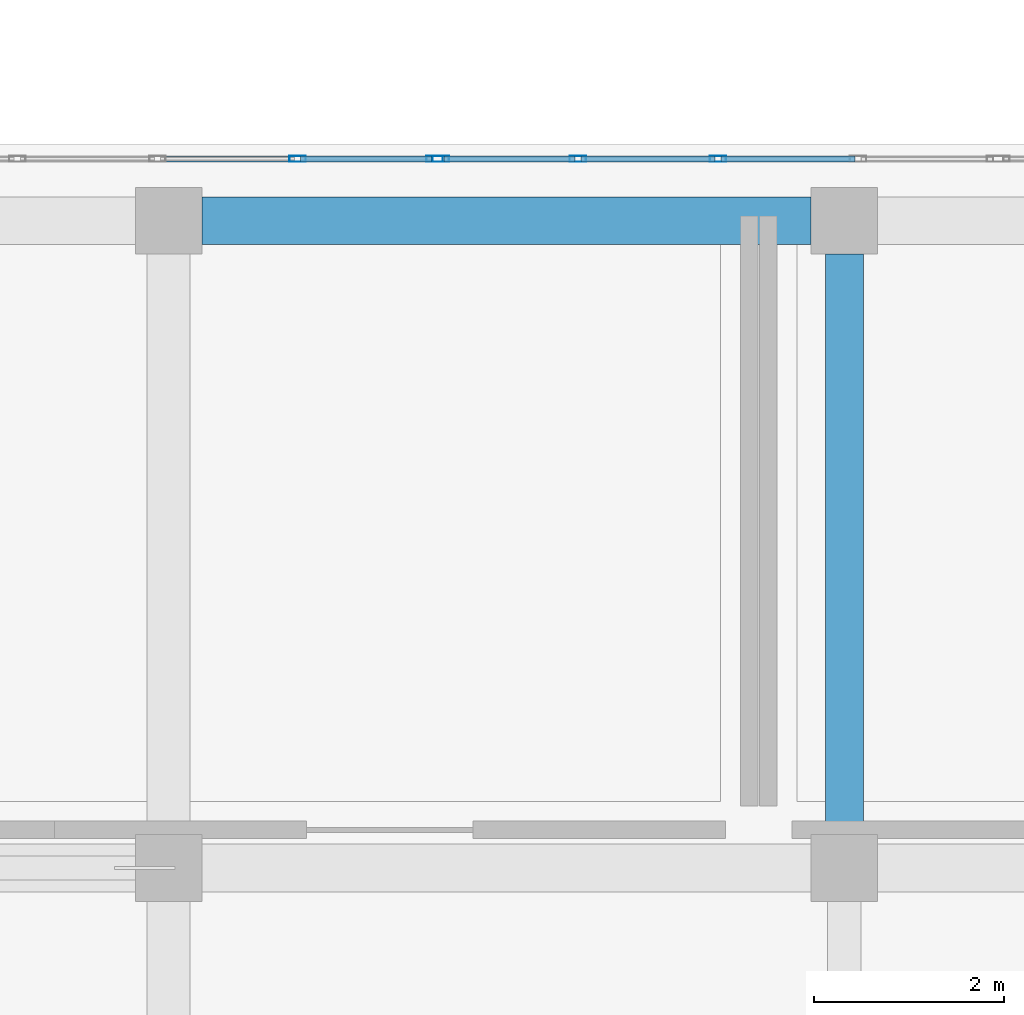
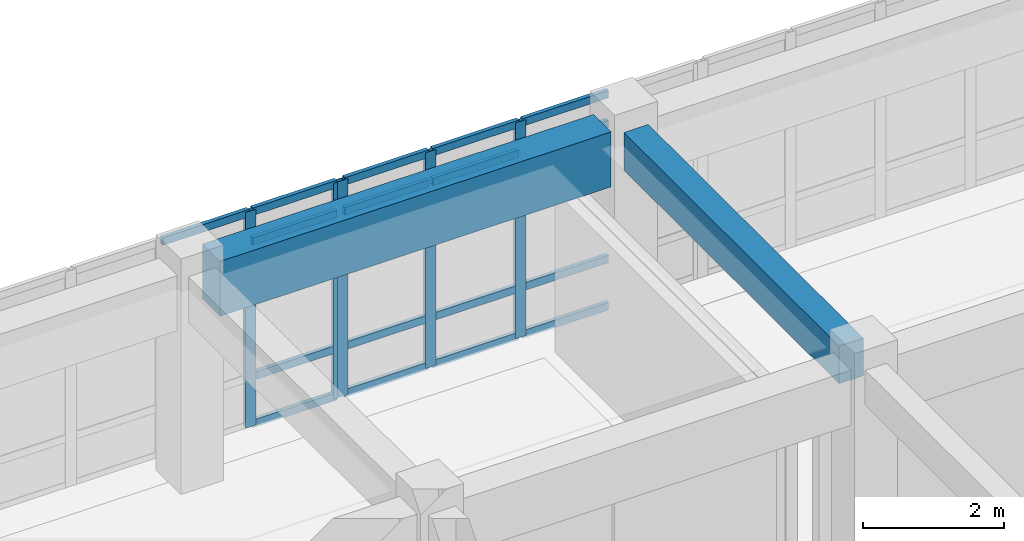
# One storey, part 22 of 146: 22 members, 2 beams, 2 elements without a shape of their own.
"""IFC4 building model written with IfcOpenShell, lengths in metres."""

from ifc_helpers import new_model, si_unit, direction, frame, origin, origin_2d, place, context, subcontext, project, spatial, rectangle, hollow_rectangle, extrude, material, layer, layer_set, material_profile, profile_set, type_object, element, aggregate, save


model = new_model("IFC4")

# Units and contexts
model_context = context("Model", 3, precision=1e-05, world=origin(), true_north=direction((0.0, 1.0)))
body_context = subcontext(model_context, "Body", "Model", "MODEL_VIEW")
ifc_project = project(units=[si_unit("LENGTHUNIT", "METRE"), si_unit("AREAUNIT", "SQUARE_METRE"), si_unit("VOLUMEUNIT", "CUBIC_METRE"), si_unit("PLANEANGLEUNIT", "RADIAN"), si_unit("MASSUNIT", "GRAM", prefix="KILO")], contexts=[model_context])

# Site, building, storey
site_placement = place(None, origin())
site = spatial("IfcSite", under=ifc_project, at=site_placement, CompositionType="ELEMENT")
building_placement = place(site_placement, origin())
building = spatial("IfcBuilding", under=site, at=building_placement, Name="Valcora Specialist Clinic", CompositionType="ELEMENT")
storey_placement = place(building_placement, frame((0.0, 0.0, 9.52001953125)))
storey = spatial("IfcBuildingStorey", under=building, at=storey_placement, Name="L02", CompositionType="ELEMENT", Elevation=9.52001953125)

# Beams
ifc_material_1 = material(Name="Concrete C40/50", Category="concrete")
ifc_material_profile_1 = material_profile(ifc_material_1, rectangle(XDim=0.39990234375, YDim=0.64990234375, at=origin_2d()), Name="RC-BM-400X650")
ifc_profile_set_1 = profile_set([ifc_material_profile_1], Name="Concrete C40/50")
beam_type_1 = type_object("IfcBeamType", Name="TY-BM-RC400X650", PredefinedType="BEAM", material=ifc_profile_set_1)
beam_1_placement = place(storey_placement, frame((16.199951171875, 15.550048828125, 3.409912109375), z_axis=(0.0, 1.0, 0.0), x_axis=(-1.0, 0.0, 0.0)))
element("IfcBeam", 1, at=beam_1_placement, inside=storey, type_object=beam_type_1, Name="Beam BM-L02-1015", PredefinedType="BEAM", context=body_context, shape_type="SweptSolid", body=[
    extrude(rectangle(XDim=0.39990234375, YDim=0.64990234375, at=origin_2d()), origin(), (0.0, 0.0, 1.0), 6.099853515625),
])
ifc_material_profile_2 = material_profile(ifc_material_1, rectangle(XDim=0.5, YDim=0.949951171875, at=origin_2d()), Name="RC-BM-500X950")
ifc_profile_set_2 = profile_set([ifc_material_profile_2], Name="Concrete C40/50")
beam_type_2 = type_object("IfcBeamType", Name="TY-BM-TR500X950", PredefinedType="BEAM", material=ifc_profile_set_2)
beam_2_placement = place(storey_placement, frame((9.449951171875, 22.0, 3.260009765625), z_axis=(1.0, 0.0, 0.0), x_axis=(0.0, 1.0, 0.0)))
element("IfcBeam", 2, at=beam_2_placement, inside=storey, type_object=beam_type_2, Name="Beam BM-L02-1003", PredefinedType="BEAM", context=body_context, shape_type="SweptSolid", body=[
    extrude(rectangle(XDim=0.5, YDim=0.949951171875, at=origin_2d()), origin(), (0.0, 0.0, 1.0), 6.400146484375),
])

# Curtain wall, members
ifc_material_2 = material(Name="Anodized Bronze Aluminium 6063-T6", Category="aluminium")
ifc_layer = layer(ifc_material_2, 0.175048828125)
ifc_layer_set = layer_set([ifc_layer], Name="Anodized Bronze Aluminium 6063-T6")
curtain_wall_type = type_object("IfcCurtainWallType", Name="TY-CW-V5F15", PredefinedType="NOTDEFINED", material=ifc_layer_set)
curtain_wall_1_placement = place(storey_placement, origin())
curtain_wall_1 = element("IfcCurtainWall", 3, at=curtain_wall_1_placement, inside=storey, type_object=curtain_wall_type, Name="Curtain wall CW-L02-144", PredefinedType="NOTDEFINED")
ifc_material_profile_3 = material_profile(ifc_material_2, hollow_rectangle(XDim=0.06494140625, YDim=0.175048828125, WallThickness=0.00390625, at=origin_2d()), Name="AL-MUL-65X175")
ifc_profile_set_3 = profile_set([ifc_material_profile_3], Name="Anodized Bronze Aluminium 6063-T6")
member_type_1 = type_object("IfcMemberType", Name="TY-CWM-65X175", PredefinedType="MULLION", material=ifc_profile_set_3)
member_1_placement = place(storey_placement, frame((10.45556640625, 22.64990234375, 0.0), z_axis=(0.0, 0.0, 1.0), x_axis=(0.0, 1.0, 0.0)))
member_1 = element("IfcMember", 4, at=member_1_placement, type_object=member_type_1, Name="CW-V5F-15 mullion 4", PredefinedType="MULLION", context=body_context, shape_type="SweptSolid", body=[
    extrude(hollow_rectangle(XDim=0.06494140625, YDim=0.175048828125, WallThickness=0.00390625, at=origin_2d()), origin(), (0.0, 0.0, 1.0), 3.73486328125),
])
member_2_placement = place(storey_placement, frame((11.895263671875, 22.64990234375, 0.0), z_axis=(0.0, 0.0, 1.0), x_axis=(0.0, 1.0, 0.0)))
member_2 = element("IfcMember", 5, at=member_2_placement, type_object=member_type_1, Name="CW-V5F-15 mullion 5", PredefinedType="MULLION", context=body_context, shape_type="SweptSolid", body=[
    extrude(hollow_rectangle(XDim=0.06494140625, YDim=0.175048828125, WallThickness=0.00390625, at=origin_2d()), origin(), (0.0, 0.0, 1.0), 3.73486328125),
])

curtain_wall_2_placement = place(storey_placement, origin())
curtain_wall_2 = element("IfcCurtainWall", 6, at=curtain_wall_2_placement, inside=storey, type_object=curtain_wall_type, Name="Curtain wall CW-L02-145", PredefinedType="NOTDEFINED")
member_3_placement = place(storey_placement, frame((11.960205078125, 22.64990234375, 0.0), z_axis=(0.0, 0.0, 1.0), x_axis=(0.0, 1.0, 0.0)))
member_3 = element("IfcMember", 7, at=member_3_placement, type_object=member_type_1, Name="CW-V5F-15 mullion 1", PredefinedType="MULLION", context=body_context, shape_type="SweptSolid", body=[
    extrude(hollow_rectangle(XDim=0.06494140625, YDim=0.175048828125, WallThickness=0.00390625, at=origin_2d()), origin(), (0.0, 0.0, 1.0), 3.73486328125),
])
member_4_placement = place(storey_placement, frame((13.400146484375, 22.64990234375, 0.0), z_axis=(0.0, 0.0, 1.0), x_axis=(0.0, 1.0, 0.0)))
member_4 = element("IfcMember", 8, at=member_4_placement, type_object=member_type_1, Name="CW-V5F-15 mullion 2", PredefinedType="MULLION", context=body_context, shape_type="SweptSolid", body=[
    extrude(hollow_rectangle(XDim=0.06494140625, YDim=0.175048828125, WallThickness=0.00390625, at=origin_2d()), origin(), (0.0, 0.0, 1.0), 3.73486328125),
])
member_5_placement = place(storey_placement, frame((14.872314453125, 22.64990234375, 0.0), z_axis=(0.0, 0.0, 1.0), x_axis=(0.0, 1.0, 0.0)))
member_5 = element("IfcMember", 9, at=member_5_placement, type_object=member_type_1, Name="CW-V5F-15 mullion 3", PredefinedType="MULLION", context=body_context, shape_type="SweptSolid", body=[
    extrude(hollow_rectangle(XDim=0.06494140625, YDim=0.175048828125, WallThickness=0.00390625, at=origin_2d()), origin(), (0.0, 0.0, 1.0), 3.73486328125),
])

# Member
ifc_material_profile_4 = material_profile(ifc_material_2, hollow_rectangle(XDim=0.06494140625, YDim=0.1298828125, WallThickness=0.00390625, at=origin_2d()), Name="AL-TRN-65X130")
ifc_profile_set_4 = profile_set([ifc_material_profile_4], Name="Anodized Bronze Aluminium 6063-T6")
member_type_2 = type_object("IfcMemberType", Name="TY-CWT-65X130", PredefinedType="USERDEFINED", material=ifc_profile_set_4)
member_6_placement = place(storey_placement, frame((9.015869140625, 22.64990234375, 3.702392578125), z_axis=(1.0, 0.0, 0.0), x_axis=(0.0, 1.0, 0.0)))
member_6 = element("IfcMember", 10, at=member_6_placement, type_object=member_type_2, Name="CW-V5F-15 transom 3.4", ObjectType="TRANSOM", PredefinedType="USERDEFINED", context=body_context, shape_type="SweptSolid", body=[
    extrude(hollow_rectangle(XDim=0.06494140625, YDim=0.1298828125, WallThickness=0.00390625, at=origin_2d()), origin(), (0.0, 0.0, 1.0), 1.4072265625),
])

member_7_placement = place(storey_placement, frame((10.488037109375, 22.64990234375, 0.032470703125), z_axis=(1.0, 0.0, 0.0), x_axis=(0.0, 1.0, 0.0)))
member_7 = element("IfcMember", 11, at=member_7_placement, type_object=member_type_2, Name="CW-V5F-15 transom 4.1", ObjectType="TRANSOM", PredefinedType="USERDEFINED", context=body_context, shape_type="SweptSolid", body=[
    extrude(hollow_rectangle(XDim=0.06494140625, YDim=0.1298828125, WallThickness=0.00390625, at=origin_2d()), origin(), (0.0, 0.0, 1.0), 1.374755859375),
])

member_8_placement = place(storey_placement, frame((10.488037109375, 22.64990234375, 0.85009765625), z_axis=(1.0, 0.0, 0.0), x_axis=(0.0, 1.0, 0.0)))
member_8 = element("IfcMember", 12, at=member_8_placement, type_object=member_type_2, Name="CW-V5F-15 transom 4.2", ObjectType="TRANSOM", PredefinedType="USERDEFINED", context=body_context, shape_type="SweptSolid", body=[
    extrude(hollow_rectangle(XDim=0.06494140625, YDim=0.1298828125, WallThickness=0.00390625, at=origin_2d()), origin(), (0.0, 0.0, 1.0), 1.374755859375),
])

member_9_placement = place(storey_placement, frame((10.488037109375, 22.64990234375, 3.18505859375), z_axis=(1.0, 0.0, 0.0), x_axis=(0.0, 1.0, 0.0)))
member_9 = element("IfcMember", 13, at=member_9_placement, type_object=member_type_2, Name="CW-V5F-15 transom 4.3", ObjectType="TRANSOM", PredefinedType="USERDEFINED", context=body_context, shape_type="SweptSolid", body=[
    extrude(hollow_rectangle(XDim=0.06494140625, YDim=0.1298828125, WallThickness=0.00390625, at=origin_2d()), origin(), (0.0, 0.0, 1.0), 1.374755859375),
])

member_10_placement = place(storey_placement, frame((10.488037109375, 22.64990234375, 3.702392578125), z_axis=(1.0, 0.0, 0.0), x_axis=(0.0, 1.0, 0.0)))
member_10 = element("IfcMember", 14, at=member_10_placement, type_object=member_type_2, Name="CW-V5F-15 transom 4.4", ObjectType="TRANSOM", PredefinedType="USERDEFINED", context=body_context, shape_type="SweptSolid", body=[
    extrude(hollow_rectangle(XDim=0.06494140625, YDim=0.1298828125, WallThickness=0.00390625, at=origin_2d()), origin(), (0.0, 0.0, 1.0), 1.374755859375),
])

aggregate(curtain_wall_1, [member_1, member_2, member_6, member_7, member_8, member_9, member_10])

member_11_placement = place(storey_placement, frame((11.992919921875, 22.64990234375, 0.032470703125), z_axis=(1.0, 0.0, 0.0), x_axis=(0.0, 1.0, 0.0)))
member_11 = element("IfcMember", 15, at=member_11_placement, type_object=member_type_2, Name="CW-V5F-15 transom 1.1", ObjectType="TRANSOM", PredefinedType="USERDEFINED", context=body_context, shape_type="SweptSolid", body=[
    extrude(hollow_rectangle(XDim=0.06494140625, YDim=0.1298828125, WallThickness=0.00390625, at=origin_2d()), origin(), (0.0, 0.0, 1.0), 1.37451171875),
])

member_12_placement = place(storey_placement, frame((11.992919921875, 22.64990234375, 0.85009765625), z_axis=(1.0, 0.0, 0.0), x_axis=(0.0, 1.0, 0.0)))
member_12 = element("IfcMember", 16, at=member_12_placement, type_object=member_type_2, Name="CW-V5F-15 transom 1.2", ObjectType="TRANSOM", PredefinedType="USERDEFINED", context=body_context, shape_type="SweptSolid", body=[
    extrude(hollow_rectangle(XDim=0.06494140625, YDim=0.1298828125, WallThickness=0.00390625, at=origin_2d()), origin(), (0.0, 0.0, 1.0), 1.37451171875),
])

member_13_placement = place(storey_placement, frame((11.992919921875, 22.64990234375, 3.18505859375), z_axis=(1.0, 0.0, 0.0), x_axis=(0.0, 1.0, 0.0)))
member_13 = element("IfcMember", 17, at=member_13_placement, type_object=member_type_2, Name="CW-V5F-15 transom 1.3", ObjectType="TRANSOM", PredefinedType="USERDEFINED", context=body_context, shape_type="SweptSolid", body=[
    extrude(hollow_rectangle(XDim=0.06494140625, YDim=0.1298828125, WallThickness=0.00390625, at=origin_2d()), origin(), (0.0, 0.0, 1.0), 1.37451171875),
])

member_14_placement = place(storey_placement, frame((11.992919921875, 22.64990234375, 3.702392578125), z_axis=(1.0, 0.0, 0.0), x_axis=(0.0, 1.0, 0.0)))
member_14 = element("IfcMember", 18, at=member_14_placement, type_object=member_type_2, Name="CW-V5F-15 transom 1.4", ObjectType="TRANSOM", PredefinedType="USERDEFINED", context=body_context, shape_type="SweptSolid", body=[
    extrude(hollow_rectangle(XDim=0.06494140625, YDim=0.1298828125, WallThickness=0.00390625, at=origin_2d()), origin(), (0.0, 0.0, 1.0), 1.37451171875),
])

member_15_placement = place(storey_placement, frame((13.4326171875, 22.64990234375, 0.032470703125), z_axis=(1.0, 0.0, 0.0), x_axis=(0.0, 1.0, 0.0)))
member_15 = element("IfcMember", 19, at=member_15_placement, type_object=member_type_2, Name="CW-V5F-15 transom 2.1", ObjectType="TRANSOM", PredefinedType="USERDEFINED", context=body_context, shape_type="SweptSolid", body=[
    extrude(hollow_rectangle(XDim=0.06494140625, YDim=0.1298828125, WallThickness=0.00390625, at=origin_2d()), origin(), (0.0, 0.0, 1.0), 1.4072265625),
])

member_16_placement = place(storey_placement, frame((13.4326171875, 22.64990234375, 0.85009765625), z_axis=(1.0, 0.0, 0.0), x_axis=(0.0, 1.0, 0.0)))
member_16 = element("IfcMember", 20, at=member_16_placement, type_object=member_type_2, Name="CW-V5F-15 transom 2.2", ObjectType="TRANSOM", PredefinedType="USERDEFINED", context=body_context, shape_type="SweptSolid", body=[
    extrude(hollow_rectangle(XDim=0.06494140625, YDim=0.1298828125, WallThickness=0.00390625, at=origin_2d()), origin(), (0.0, 0.0, 1.0), 1.4072265625),
])

member_17_placement = place(storey_placement, frame((13.4326171875, 22.64990234375, 3.18505859375), z_axis=(1.0, 0.0, 0.0), x_axis=(0.0, 1.0, 0.0)))
member_17 = element("IfcMember", 21, at=member_17_placement, type_object=member_type_2, Name="CW-V5F-15 transom 2.3", ObjectType="TRANSOM", PredefinedType="USERDEFINED", context=body_context, shape_type="SweptSolid", body=[
    extrude(hollow_rectangle(XDim=0.06494140625, YDim=0.1298828125, WallThickness=0.00390625, at=origin_2d()), origin(), (0.0, 0.0, 1.0), 1.4072265625),
])

member_18_placement = place(storey_placement, frame((13.4326171875, 22.64990234375, 3.702392578125), z_axis=(1.0, 0.0, 0.0), x_axis=(0.0, 1.0, 0.0)))
member_18 = element("IfcMember", 22, at=member_18_placement, type_object=member_type_2, Name="CW-V5F-15 transom 2.4", ObjectType="TRANSOM", PredefinedType="USERDEFINED", context=body_context, shape_type="SweptSolid", body=[
    extrude(hollow_rectangle(XDim=0.06494140625, YDim=0.1298828125, WallThickness=0.00390625, at=origin_2d()), origin(), (0.0, 0.0, 1.0), 1.4072265625),
])

member_19_placement = place(storey_placement, frame((14.90478515625, 22.64990234375, 0.032470703125), z_axis=(1.0, 0.0, 0.0), x_axis=(0.0, 1.0, 0.0)))
member_19 = element("IfcMember", 23, at=member_19_placement, type_object=member_type_2, Name="CW-V5F-15 transom 3.1", ObjectType="TRANSOM", PredefinedType="USERDEFINED", context=body_context, shape_type="SweptSolid", body=[
    extrude(hollow_rectangle(XDim=0.06494140625, YDim=0.1298828125, WallThickness=0.00390625, at=origin_2d()), origin(), (0.0, 0.0, 1.0), 1.4072265625),
])

member_20_placement = place(storey_placement, frame((14.90478515625, 22.64990234375, 0.85009765625), z_axis=(1.0, 0.0, 0.0), x_axis=(0.0, 1.0, 0.0)))
member_20 = element("IfcMember", 24, at=member_20_placement, type_object=member_type_2, Name="CW-V5F-15 transom 3.2", ObjectType="TRANSOM", PredefinedType="USERDEFINED", context=body_context, shape_type="SweptSolid", body=[
    extrude(hollow_rectangle(XDim=0.06494140625, YDim=0.1298828125, WallThickness=0.00390625, at=origin_2d()), origin(), (0.0, 0.0, 1.0), 1.4072265625),
])

member_21_placement = place(storey_placement, frame((14.90478515625, 22.64990234375, 3.18505859375), z_axis=(1.0, 0.0, 0.0), x_axis=(0.0, 1.0, 0.0)))
member_21 = element("IfcMember", 25, at=member_21_placement, type_object=member_type_2, Name="CW-V5F-15 transom 3.3", ObjectType="TRANSOM", PredefinedType="USERDEFINED", context=body_context, shape_type="SweptSolid", body=[
    extrude(hollow_rectangle(XDim=0.06494140625, YDim=0.1298828125, WallThickness=0.00390625, at=origin_2d()), origin(), (0.0, 0.0, 1.0), 1.4072265625),
])

member_22_placement = place(storey_placement, frame((14.90478515625, 22.64990234375, 3.702392578125), z_axis=(1.0, 0.0, 0.0), x_axis=(0.0, 1.0, 0.0)))
member_22 = element("IfcMember", 26, at=member_22_placement, type_object=member_type_2, Name="CW-V5F-15 transom 3.4", ObjectType="TRANSOM", PredefinedType="USERDEFINED", context=body_context, shape_type="SweptSolid", body=[
    extrude(hollow_rectangle(XDim=0.06494140625, YDim=0.1298828125, WallThickness=0.00390625, at=origin_2d()), origin(), (0.0, 0.0, 1.0), 1.4072265625),
])

aggregate(curtain_wall_2, [member_3, member_4, member_5, member_11, member_12, member_13, member_14, member_15, member_16, member_17, member_18, member_19, member_20, member_21, member_22])

save(model, "model.ifc")
